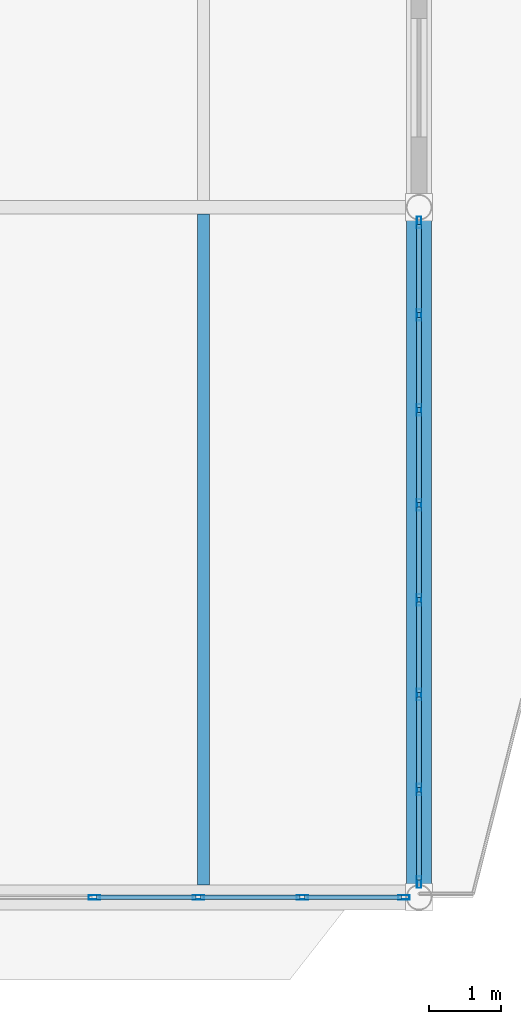
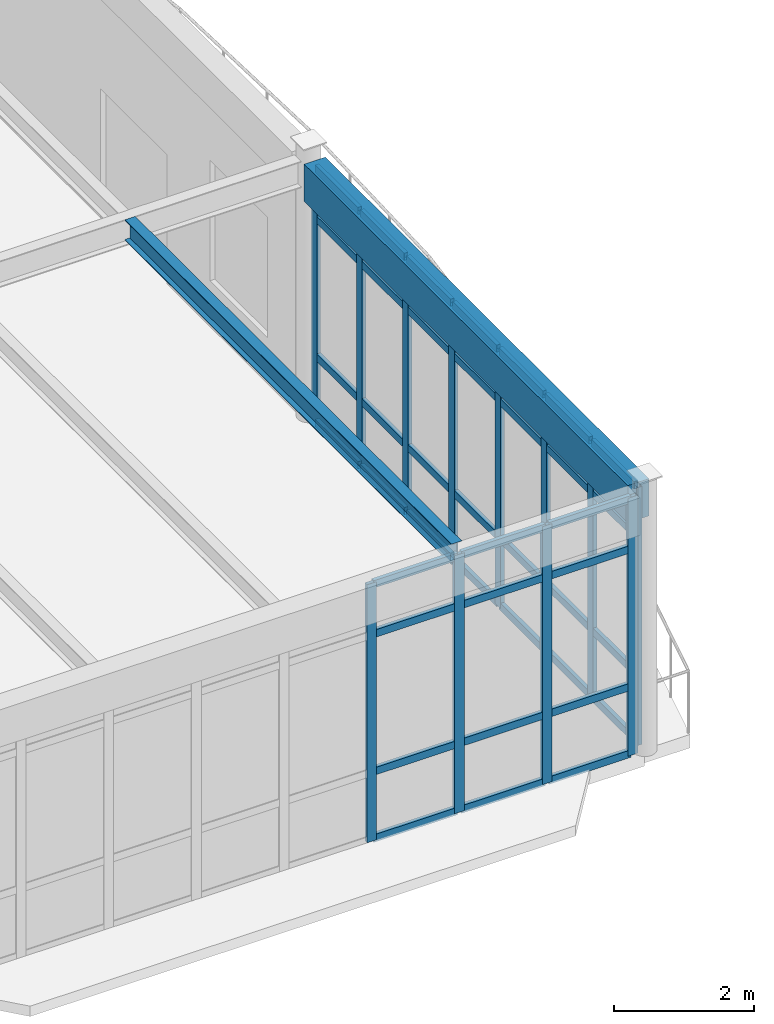
# One storey, part 24 of 236: 52 members, 2 beams, 2 elements without a shape of their own.
"""IFC4 building model written with IfcOpenShell, lengths in metres."""

from ifc_helpers import new_model, si_unit, direction, frame, origin, origin_2d, place, context, subcontext, project, spatial, rectangle, hollow_rectangle, i_section, extrude, material, layer, layer_set, material_profile, profile_set, type_object, element, aggregate, save


model = new_model("IFC4")

# Units and contexts
model_context = context("Model", 3, precision=1e-05, world=origin(), true_north=direction((0.0, 1.0)))
body_context = subcontext(model_context, "Body", "Model", "MODEL_VIEW")
ifc_project = project(units=[si_unit("LENGTHUNIT", "METRE"), si_unit("AREAUNIT", "SQUARE_METRE"), si_unit("VOLUMEUNIT", "CUBIC_METRE"), si_unit("PLANEANGLEUNIT", "RADIAN"), si_unit("MASSUNIT", "GRAM", prefix="KILO")], contexts=[model_context])

# Site, building, storey
site_placement = place(None, origin())
site = spatial("IfcSite", under=ifc_project, at=site_placement, CompositionType="ELEMENT")
building_placement = place(site_placement, origin())
building = spatial("IfcBuilding", under=site, at=building_placement, Name="Pandanus Reach Market Hall", CompositionType="ELEMENT")
storey_placement = place(building_placement, frame((0.0, 0.0, 5.39990234375)))
storey = spatial("IfcBuildingStorey", under=building, at=storey_placement, Name="L01", CompositionType="ELEMENT", Elevation=5.39990234375)

# Beam
ifc_material_1 = material(Name="Concrete N40 (40 MPa)", Category="concrete")
ifc_material_profile_1 = material_profile(ifc_material_1, rectangle(XDim=0.35009765625, YDim=0.64990234375, at=origin_2d()), Name="RC350x650", Category="LoadBearing")
ifc_profile_set_1 = profile_set([ifc_material_profile_1], Name="Concrete N40 (40 MPa)")
beam_type_1 = type_object("IfcBeamType", Name="BM-RC350-E", PredefinedType="SPANDREL", material=ifc_profile_set_1)
beam_1_placement = place(storey_placement, frame((36.0, 0.17578125, 4.22998046875), z_axis=(0.0, 1.0, 0.0), x_axis=(-1.0, 0.0, 0.0)))
element("IfcBeam", 1, at=beam_1_placement, inside=storey, type_object=beam_type_1, Name="Framing beam BM-RC350-E L01.987", PredefinedType="SPANDREL", context=body_context, shape_type="SweptSolid", body=[
    extrude(rectangle(XDim=0.35009765625, YDim=0.64990234375, at=origin_2d()), origin(), (0.0, 0.0, 1.0), 9.24853515625),
])

# Curtain wall, members
ifc_material_2 = material(Name="Bronze anodised aluminium and low-E glass", Category="aluminium")
ifc_layer_1 = layer(ifc_material_2, 0.159912109375, Name="CW-16")
ifc_layer_set_1 = layer_set([ifc_layer_1], Name="Bronze anodised aluminium and low-E glass")
curtain_wall_type_1 = type_object("IfcCurtainWallType", Name="CW-16", PredefinedType="NOTDEFINED", material=ifc_layer_set_1)
curtain_wall_1_placement = place(storey_placement, origin())
curtain_wall_1 = element("IfcCurtainWall", 2, at=curtain_wall_1_placement, inside=storey, type_object=curtain_wall_type_1, Name="Glazed curtain wall CW-16 CW-0056", PredefinedType="NOTDEFINED")
ifc_material_3 = material(Name="Bronze anodised aluminium", Category="aluminium")
ifc_material_profile_2 = material_profile(ifc_material_3, hollow_rectangle(XDim=0.06494140625, YDim=0.159912109375, WallThickness=0.00390625, at=origin_2d()), Name="ALU65x160", Category="LoadBearing")
ifc_profile_set_2 = profile_set([ifc_material_profile_2], Name="Bronze anodised aluminium")
member_type_1 = type_object("IfcMemberType", Name="CW-M1", PredefinedType="MULLION", material=ifc_profile_set_2)
member_1_placement = place(storey_placement, frame((31.482666015625, 0.0, 0.0), z_axis=(0.0, 0.0, 1.0), x_axis=(0.0, 1.0, 0.0)))
member_1 = element("IfcMember", 3, at=member_1_placement, type_object=member_type_1, Name="CW-16 mullion 6", PredefinedType="MULLION", context=body_context, shape_type="SweptSolid", body=[
    extrude(hollow_rectangle(XDim=0.06494140625, YDim=0.159912109375, WallThickness=0.00390625, at=origin_2d()), origin(), (0.0, 0.0, 1.0), 4.5),
])
member_2_placement = place(storey_placement, frame((32.92919921875, 0.0, 0.0), z_axis=(0.0, 0.0, 1.0), x_axis=(0.0, 1.0, 0.0)))
member_2 = element("IfcMember", 4, at=member_2_placement, type_object=member_type_1, Name="CW-16 mullion 7", PredefinedType="MULLION", context=body_context, shape_type="SweptSolid", body=[
    extrude(hollow_rectangle(XDim=0.06494140625, YDim=0.159912109375, WallThickness=0.00390625, at=origin_2d()), origin(), (0.0, 0.0, 1.0), 4.5),
])
member_3_placement = place(storey_placement, frame((34.375732421875, 0.0, 0.0), z_axis=(0.0, 0.0, 1.0), x_axis=(0.0, 1.0, 0.0)))
member_3 = element("IfcMember", 5, at=member_3_placement, type_object=member_type_1, Name="CW-16 mullion 8", PredefinedType="MULLION", context=body_context, shape_type="SweptSolid", body=[
    extrude(hollow_rectangle(XDim=0.06494140625, YDim=0.159912109375, WallThickness=0.00390625, at=origin_2d()), origin(), (0.0, 0.0, 1.0), 4.5),
])
member_4_placement = place(storey_placement, frame((35.789794921875, 0.0, 0.0), z_axis=(0.0, 0.0, 1.0), x_axis=(0.0, 1.0, 0.0)))
member_4 = element("IfcMember", 6, at=member_4_placement, type_object=member_type_1, Name="CW-16 mullion 9", PredefinedType="MULLION", context=body_context, shape_type="SweptSolid", body=[
    extrude(hollow_rectangle(XDim=0.06494140625, YDim=0.159912109375, WallThickness=0.00390625, at=origin_2d()), origin(), (0.0, 0.0, 1.0), 4.5),
])

ifc_layer_2 = layer(ifc_material_2, 0.159912109375, Name="CW-20")
ifc_layer_set_2 = layer_set([ifc_layer_2], Name="Bronze anodised aluminium and low-E glass")
curtain_wall_type_2 = type_object("IfcCurtainWallType", Name="CW-20", PredefinedType="NOTDEFINED", material=ifc_layer_set_2)
curtain_wall_2_placement = place(storey_placement, origin())
curtain_wall_2 = element("IfcCurtainWall", 7, at=curtain_wall_2_placement, inside=storey, type_object=curtain_wall_type_2, Name="Glazed curtain wall CW-20 CW-0061", PredefinedType="NOTDEFINED")
member_5_placement = place(storey_placement, frame((36.0, 0.210205078125, 0.0), z_axis=(0.0, 0.0, 1.0), x_axis=(-1.0, 0.0, 0.0)))
member_5 = element("IfcMember", 8, at=member_5_placement, type_object=member_type_1, Name="CW-20 mullion 1", PredefinedType="MULLION", context=body_context, shape_type="SweptSolid", body=[
    extrude(hollow_rectangle(XDim=0.06494140625, YDim=0.159912109375, WallThickness=0.00390625, at=origin_2d()), origin(), (0.0, 0.0, 1.0), 4.5),
])
member_6_placement = place(storey_placement, frame((36.0, 1.49853515625, 0.0), z_axis=(0.0, 0.0, 1.0), x_axis=(-1.0, 0.0, 0.0)))
member_6 = element("IfcMember", 9, at=member_6_placement, type_object=member_type_1, Name="CW-20 mullion 2", PredefinedType="MULLION", context=body_context, shape_type="SweptSolid", body=[
    extrude(hollow_rectangle(XDim=0.06494140625, YDim=0.159912109375, WallThickness=0.00390625, at=origin_2d()), origin(), (0.0, 0.0, 1.0), 4.5),
])
member_7_placement = place(storey_placement, frame((36.0, 2.819091796875, 0.0), z_axis=(0.0, 0.0, 1.0), x_axis=(-1.0, 0.0, 0.0)))
member_7 = element("IfcMember", 10, at=member_7_placement, type_object=member_type_1, Name="CW-20 mullion 3", PredefinedType="MULLION", context=body_context, shape_type="SweptSolid", body=[
    extrude(hollow_rectangle(XDim=0.06494140625, YDim=0.159912109375, WallThickness=0.00390625, at=origin_2d()), origin(), (0.0, 0.0, 1.0), 4.5),
])
member_8_placement = place(storey_placement, frame((36.0, 4.1396484375, 0.0), z_axis=(0.0, 0.0, 1.0), x_axis=(-1.0, 0.0, 0.0)))
member_8 = element("IfcMember", 11, at=member_8_placement, type_object=member_type_1, Name="CW-20 mullion 4", PredefinedType="MULLION", context=body_context, shape_type="SweptSolid", body=[
    extrude(hollow_rectangle(XDim=0.06494140625, YDim=0.159912109375, WallThickness=0.00390625, at=origin_2d()), origin(), (0.0, 0.0, 1.0), 4.5),
])
member_9_placement = place(storey_placement, frame((36.0, 5.460205078125, 0.0), z_axis=(0.0, 0.0, 1.0), x_axis=(-1.0, 0.0, 0.0)))
member_9 = element("IfcMember", 12, at=member_9_placement, type_object=member_type_1, Name="CW-20 mullion 5", PredefinedType="MULLION", context=body_context, shape_type="SweptSolid", body=[
    extrude(hollow_rectangle(XDim=0.06494140625, YDim=0.159912109375, WallThickness=0.00390625, at=origin_2d()), origin(), (0.0, 0.0, 1.0), 4.5),
])
member_10_placement = place(storey_placement, frame((36.0, 6.781005859375, 0.0), z_axis=(0.0, 0.0, 1.0), x_axis=(-1.0, 0.0, 0.0)))
member_10 = element("IfcMember", 13, at=member_10_placement, type_object=member_type_1, Name="CW-20 mullion 6", PredefinedType="MULLION", context=body_context, shape_type="SweptSolid", body=[
    extrude(hollow_rectangle(XDim=0.06494140625, YDim=0.159912109375, WallThickness=0.00390625, at=origin_2d()), origin(), (0.0, 0.0, 1.0), 4.5),
])
member_11_placement = place(storey_placement, frame((36.0, 8.1015625, 0.0), z_axis=(0.0, 0.0, 1.0), x_axis=(-1.0, 0.0, 0.0)))
member_11 = element("IfcMember", 14, at=member_11_placement, type_object=member_type_1, Name="CW-20 mullion 7", PredefinedType="MULLION", context=body_context, shape_type="SweptSolid", body=[
    extrude(hollow_rectangle(XDim=0.06494140625, YDim=0.159912109375, WallThickness=0.00390625, at=origin_2d()), origin(), (0.0, 0.0, 1.0), 4.5),
])
member_12_placement = place(storey_placement, frame((36.0, 9.3896484375, 0.0), z_axis=(0.0, 0.0, 1.0), x_axis=(-1.0, 0.0, 0.0)))
member_12 = element("IfcMember", 15, at=member_12_placement, type_object=member_type_1, Name="CW-20 mullion 8", PredefinedType="MULLION", context=body_context, shape_type="SweptSolid", body=[
    extrude(hollow_rectangle(XDim=0.06494140625, YDim=0.159912109375, WallThickness=0.00390625, at=origin_2d()), origin(), (0.0, 0.0, 1.0), 4.5),
])

# Member
ifc_material_profile_3 = material_profile(ifc_material_3, hollow_rectangle(XDim=0.06494140625, YDim=0.1298828125, WallThickness=0.00390625, at=origin_2d()), Name="ALU65x130", Category="LoadBearing")
ifc_profile_set_3 = profile_set([ifc_material_profile_3], Name="Bronze anodised aluminium")
member_type_2 = type_object("IfcMemberType", Name="CW-T1", PredefinedType="USERDEFINED", material=ifc_profile_set_3)
member_13_placement = place(storey_placement, frame((31.51513671875, 0.0, 0.03271484375), z_axis=(1.0, 0.0, 0.0), x_axis=(0.0, 1.0, 0.0)))
member_13 = element("IfcMember", 16, at=member_13_placement, type_object=member_type_2, Name="CW-16 transom 6.1", ObjectType="TRANSOM", PredefinedType="USERDEFINED", context=body_context, shape_type="SweptSolid", body=[
    extrude(hollow_rectangle(XDim=0.06494140625, YDim=0.1298828125, WallThickness=0.00390625, at=origin_2d()), origin(), (0.0, 0.0, 1.0), 1.381591796875),
])

member_14_placement = place(storey_placement, frame((31.51513671875, 0.0, 1.2001953125), z_axis=(1.0, 0.0, 0.0), x_axis=(0.0, 1.0, 0.0)))
member_14 = element("IfcMember", 17, at=member_14_placement, type_object=member_type_2, Name="CW-16 transom 6.2", ObjectType="TRANSOM", PredefinedType="USERDEFINED", context=body_context, shape_type="SweptSolid", body=[
    extrude(hollow_rectangle(XDim=0.06494140625, YDim=0.1298828125, WallThickness=0.00390625, at=origin_2d()), origin(), (0.0, 0.0, 1.0), 1.381591796875),
])

member_15_placement = place(storey_placement, frame((31.51513671875, 0.0, 3.60009765625), z_axis=(1.0, 0.0, 0.0), x_axis=(0.0, 1.0, 0.0)))
member_15 = element("IfcMember", 18, at=member_15_placement, type_object=member_type_2, Name="CW-16 transom 6.3", ObjectType="TRANSOM", PredefinedType="USERDEFINED", context=body_context, shape_type="SweptSolid", body=[
    extrude(hollow_rectangle(XDim=0.06494140625, YDim=0.1298828125, WallThickness=0.00390625, at=origin_2d()), origin(), (0.0, 0.0, 1.0), 1.381591796875),
])

member_16_placement = place(storey_placement, frame((31.51513671875, 0.0, 4.467529296875), z_axis=(1.0, 0.0, 0.0), x_axis=(0.0, 1.0, 0.0)))
member_16 = element("IfcMember", 19, at=member_16_placement, type_object=member_type_2, Name="CW-16 transom 6.4", ObjectType="TRANSOM", PredefinedType="USERDEFINED", context=body_context, shape_type="SweptSolid", body=[
    extrude(hollow_rectangle(XDim=0.06494140625, YDim=0.1298828125, WallThickness=0.00390625, at=origin_2d()), origin(), (0.0, 0.0, 1.0), 1.381591796875),
])

member_17_placement = place(storey_placement, frame((32.961669921875, 0.0, 0.03271484375), z_axis=(1.0, 0.0, 0.0), x_axis=(0.0, 1.0, 0.0)))
member_17 = element("IfcMember", 20, at=member_17_placement, type_object=member_type_2, Name="CW-16 transom 7.1", ObjectType="TRANSOM", PredefinedType="USERDEFINED", context=body_context, shape_type="SweptSolid", body=[
    extrude(hollow_rectangle(XDim=0.06494140625, YDim=0.1298828125, WallThickness=0.00390625, at=origin_2d()), origin(), (0.0, 0.0, 1.0), 1.381591796875),
])

member_18_placement = place(storey_placement, frame((32.961669921875, 0.0, 1.2001953125), z_axis=(1.0, 0.0, 0.0), x_axis=(0.0, 1.0, 0.0)))
member_18 = element("IfcMember", 21, at=member_18_placement, type_object=member_type_2, Name="CW-16 transom 7.2", ObjectType="TRANSOM", PredefinedType="USERDEFINED", context=body_context, shape_type="SweptSolid", body=[
    extrude(hollow_rectangle(XDim=0.06494140625, YDim=0.1298828125, WallThickness=0.00390625, at=origin_2d()), origin(), (0.0, 0.0, 1.0), 1.381591796875),
])

member_19_placement = place(storey_placement, frame((32.961669921875, 0.0, 3.60009765625), z_axis=(1.0, 0.0, 0.0), x_axis=(0.0, 1.0, 0.0)))
member_19 = element("IfcMember", 22, at=member_19_placement, type_object=member_type_2, Name="CW-16 transom 7.3", ObjectType="TRANSOM", PredefinedType="USERDEFINED", context=body_context, shape_type="SweptSolid", body=[
    extrude(hollow_rectangle(XDim=0.06494140625, YDim=0.1298828125, WallThickness=0.00390625, at=origin_2d()), origin(), (0.0, 0.0, 1.0), 1.381591796875),
])

member_20_placement = place(storey_placement, frame((32.961669921875, 0.0, 4.467529296875), z_axis=(1.0, 0.0, 0.0), x_axis=(0.0, 1.0, 0.0)))
member_20 = element("IfcMember", 23, at=member_20_placement, type_object=member_type_2, Name="CW-16 transom 7.4", ObjectType="TRANSOM", PredefinedType="USERDEFINED", context=body_context, shape_type="SweptSolid", body=[
    extrude(hollow_rectangle(XDim=0.06494140625, YDim=0.1298828125, WallThickness=0.00390625, at=origin_2d()), origin(), (0.0, 0.0, 1.0), 1.381591796875),
])

member_21_placement = place(storey_placement, frame((34.408203125, 0.0, 0.03271484375), z_axis=(1.0, 0.0, 0.0), x_axis=(0.0, 1.0, 0.0)))
member_21 = element("IfcMember", 24, at=member_21_placement, type_object=member_type_2, Name="CW-16 transom 8.1", ObjectType="TRANSOM", PredefinedType="USERDEFINED", context=body_context, shape_type="SweptSolid", body=[
    extrude(hollow_rectangle(XDim=0.06494140625, YDim=0.1298828125, WallThickness=0.00390625, at=origin_2d()), origin(), (0.0, 0.0, 1.0), 1.348876953125),
])

member_22_placement = place(storey_placement, frame((34.408203125, 0.0, 1.2001953125), z_axis=(1.0, 0.0, 0.0), x_axis=(0.0, 1.0, 0.0)))
member_22 = element("IfcMember", 25, at=member_22_placement, type_object=member_type_2, Name="CW-16 transom 8.2", ObjectType="TRANSOM", PredefinedType="USERDEFINED", context=body_context, shape_type="SweptSolid", body=[
    extrude(hollow_rectangle(XDim=0.06494140625, YDim=0.1298828125, WallThickness=0.00390625, at=origin_2d()), origin(), (0.0, 0.0, 1.0), 1.348876953125),
])

member_23_placement = place(storey_placement, frame((34.408203125, 0.0, 3.60009765625), z_axis=(1.0, 0.0, 0.0), x_axis=(0.0, 1.0, 0.0)))
member_23 = element("IfcMember", 26, at=member_23_placement, type_object=member_type_2, Name="CW-16 transom 8.3", ObjectType="TRANSOM", PredefinedType="USERDEFINED", context=body_context, shape_type="SweptSolid", body=[
    extrude(hollow_rectangle(XDim=0.06494140625, YDim=0.1298828125, WallThickness=0.00390625, at=origin_2d()), origin(), (0.0, 0.0, 1.0), 1.348876953125),
])

member_24_placement = place(storey_placement, frame((34.408203125, 0.0, 4.467529296875), z_axis=(1.0, 0.0, 0.0), x_axis=(0.0, 1.0, 0.0)))
member_24 = element("IfcMember", 27, at=member_24_placement, type_object=member_type_2, Name="CW-16 transom 8.4", ObjectType="TRANSOM", PredefinedType="USERDEFINED", context=body_context, shape_type="SweptSolid", body=[
    extrude(hollow_rectangle(XDim=0.06494140625, YDim=0.1298828125, WallThickness=0.00390625, at=origin_2d()), origin(), (0.0, 0.0, 1.0), 1.348876953125),
])

aggregate(curtain_wall_1, [member_1, member_2, member_3, member_4, member_13, member_14, member_15, member_16, member_17, member_18, member_19, member_20, member_21, member_22, member_23, member_24])

member_25_placement = place(storey_placement, frame((36.0, 0.242919921875, 0.03271484375), z_axis=(0.0, 1.0, 0.0), x_axis=(-1.0, 0.0, 0.0)))
member_25 = element("IfcMember", 28, at=member_25_placement, type_object=member_type_2, Name="CW-20 transom 1.1", ObjectType="TRANSOM", PredefinedType="USERDEFINED", context=body_context, shape_type="SweptSolid", body=[
    extrude(hollow_rectangle(XDim=0.06494140625, YDim=0.1298828125, WallThickness=0.00390625, at=origin_2d()), origin(), (0.0, 0.0, 1.0), 1.222900390625),
])

member_26_placement = place(storey_placement, frame((36.0, 0.242919921875, 1.2001953125), z_axis=(0.0, 1.0, 0.0), x_axis=(-1.0, 0.0, 0.0)))
member_26 = element("IfcMember", 29, at=member_26_placement, type_object=member_type_2, Name="CW-20 transom 1.2", ObjectType="TRANSOM", PredefinedType="USERDEFINED", context=body_context, shape_type="SweptSolid", body=[
    extrude(hollow_rectangle(XDim=0.06494140625, YDim=0.1298828125, WallThickness=0.00390625, at=origin_2d()), origin(), (0.0, 0.0, 1.0), 1.222900390625),
])

member_27_placement = place(storey_placement, frame((36.0, 0.242919921875, 3.60009765625), z_axis=(0.0, 1.0, 0.0), x_axis=(-1.0, 0.0, 0.0)))
member_27 = element("IfcMember", 30, at=member_27_placement, type_object=member_type_2, Name="CW-20 transom 1.3", ObjectType="TRANSOM", PredefinedType="USERDEFINED", context=body_context, shape_type="SweptSolid", body=[
    extrude(hollow_rectangle(XDim=0.06494140625, YDim=0.1298828125, WallThickness=0.00390625, at=origin_2d()), origin(), (0.0, 0.0, 1.0), 1.222900390625),
])

member_28_placement = place(storey_placement, frame((36.0, 0.242919921875, 4.467529296875), z_axis=(0.0, 1.0, 0.0), x_axis=(-1.0, 0.0, 0.0)))
member_28 = element("IfcMember", 31, at=member_28_placement, type_object=member_type_2, Name="CW-20 transom 1.4", ObjectType="TRANSOM", PredefinedType="USERDEFINED", context=body_context, shape_type="SweptSolid", body=[
    extrude(hollow_rectangle(XDim=0.06494140625, YDim=0.1298828125, WallThickness=0.00390625, at=origin_2d()), origin(), (0.0, 0.0, 1.0), 1.222900390625),
])

member_29_placement = place(storey_placement, frame((36.0, 1.531005859375, 0.03271484375), z_axis=(0.0, 1.0, 0.0), x_axis=(-1.0, 0.0, 0.0)))
member_29 = element("IfcMember", 32, at=member_29_placement, type_object=member_type_2, Name="CW-20 transom 2.1", ObjectType="TRANSOM", PredefinedType="USERDEFINED", context=body_context, shape_type="SweptSolid", body=[
    extrude(hollow_rectangle(XDim=0.06494140625, YDim=0.1298828125, WallThickness=0.00390625, at=origin_2d()), origin(), (0.0, 0.0, 1.0), 1.255615234375),
])

member_30_placement = place(storey_placement, frame((36.0, 1.531005859375, 1.2001953125), z_axis=(0.0, 1.0, 0.0), x_axis=(-1.0, 0.0, 0.0)))
member_30 = element("IfcMember", 33, at=member_30_placement, type_object=member_type_2, Name="CW-20 transom 2.2", ObjectType="TRANSOM", PredefinedType="USERDEFINED", context=body_context, shape_type="SweptSolid", body=[
    extrude(hollow_rectangle(XDim=0.06494140625, YDim=0.1298828125, WallThickness=0.00390625, at=origin_2d()), origin(), (0.0, 0.0, 1.0), 1.255615234375),
])

member_31_placement = place(storey_placement, frame((36.0, 1.531005859375, 3.60009765625), z_axis=(0.0, 1.0, 0.0), x_axis=(-1.0, 0.0, 0.0)))
member_31 = element("IfcMember", 34, at=member_31_placement, type_object=member_type_2, Name="CW-20 transom 2.3", ObjectType="TRANSOM", PredefinedType="USERDEFINED", context=body_context, shape_type="SweptSolid", body=[
    extrude(hollow_rectangle(XDim=0.06494140625, YDim=0.1298828125, WallThickness=0.00390625, at=origin_2d()), origin(), (0.0, 0.0, 1.0), 1.255615234375),
])

member_32_placement = place(storey_placement, frame((36.0, 1.531005859375, 4.467529296875), z_axis=(0.0, 1.0, 0.0), x_axis=(-1.0, 0.0, 0.0)))
member_32 = element("IfcMember", 35, at=member_32_placement, type_object=member_type_2, Name="CW-20 transom 2.4", ObjectType="TRANSOM", PredefinedType="USERDEFINED", context=body_context, shape_type="SweptSolid", body=[
    extrude(hollow_rectangle(XDim=0.06494140625, YDim=0.1298828125, WallThickness=0.00390625, at=origin_2d()), origin(), (0.0, 0.0, 1.0), 1.255615234375),
])

member_33_placement = place(storey_placement, frame((36.0, 2.8515625, 0.03271484375), z_axis=(0.0, 1.0, 0.0), x_axis=(-1.0, 0.0, 0.0)))
member_33 = element("IfcMember", 36, at=member_33_placement, type_object=member_type_2, Name="CW-20 transom 3.1", ObjectType="TRANSOM", PredefinedType="USERDEFINED", context=body_context, shape_type="SweptSolid", body=[
    extrude(hollow_rectangle(XDim=0.06494140625, YDim=0.1298828125, WallThickness=0.00390625, at=origin_2d()), origin(), (0.0, 0.0, 1.0), 1.255615234375),
])

member_34_placement = place(storey_placement, frame((36.0, 2.8515625, 1.2001953125), z_axis=(0.0, 1.0, 0.0), x_axis=(-1.0, 0.0, 0.0)))
member_34 = element("IfcMember", 37, at=member_34_placement, type_object=member_type_2, Name="CW-20 transom 3.2", ObjectType="TRANSOM", PredefinedType="USERDEFINED", context=body_context, shape_type="SweptSolid", body=[
    extrude(hollow_rectangle(XDim=0.06494140625, YDim=0.1298828125, WallThickness=0.00390625, at=origin_2d()), origin(), (0.0, 0.0, 1.0), 1.255615234375),
])

member_35_placement = place(storey_placement, frame((36.0, 2.8515625, 3.60009765625), z_axis=(0.0, 1.0, 0.0), x_axis=(-1.0, 0.0, 0.0)))
member_35 = element("IfcMember", 38, at=member_35_placement, type_object=member_type_2, Name="CW-20 transom 3.3", ObjectType="TRANSOM", PredefinedType="USERDEFINED", context=body_context, shape_type="SweptSolid", body=[
    extrude(hollow_rectangle(XDim=0.06494140625, YDim=0.1298828125, WallThickness=0.00390625, at=origin_2d()), origin(), (0.0, 0.0, 1.0), 1.255615234375),
])

member_36_placement = place(storey_placement, frame((36.0, 2.8515625, 4.467529296875), z_axis=(0.0, 1.0, 0.0), x_axis=(-1.0, 0.0, 0.0)))
member_36 = element("IfcMember", 39, at=member_36_placement, type_object=member_type_2, Name="CW-20 transom 3.4", ObjectType="TRANSOM", PredefinedType="USERDEFINED", context=body_context, shape_type="SweptSolid", body=[
    extrude(hollow_rectangle(XDim=0.06494140625, YDim=0.1298828125, WallThickness=0.00390625, at=origin_2d()), origin(), (0.0, 0.0, 1.0), 1.255615234375),
])

member_37_placement = place(storey_placement, frame((36.0, 4.172119140625, 0.03271484375), z_axis=(0.0, 1.0, 0.0), x_axis=(-1.0, 0.0, 0.0)))
member_37 = element("IfcMember", 40, at=member_37_placement, type_object=member_type_2, Name="CW-20 transom 4.1", ObjectType="TRANSOM", PredefinedType="USERDEFINED", context=body_context, shape_type="SweptSolid", body=[
    extrude(hollow_rectangle(XDim=0.06494140625, YDim=0.1298828125, WallThickness=0.00390625, at=origin_2d()), origin(), (0.0, 0.0, 1.0), 1.255615234375),
])

member_38_placement = place(storey_placement, frame((36.0, 4.172119140625, 1.2001953125), z_axis=(0.0, 1.0, 0.0), x_axis=(-1.0, 0.0, 0.0)))
member_38 = element("IfcMember", 41, at=member_38_placement, type_object=member_type_2, Name="CW-20 transom 4.2", ObjectType="TRANSOM", PredefinedType="USERDEFINED", context=body_context, shape_type="SweptSolid", body=[
    extrude(hollow_rectangle(XDim=0.06494140625, YDim=0.1298828125, WallThickness=0.00390625, at=origin_2d()), origin(), (0.0, 0.0, 1.0), 1.255615234375),
])

member_39_placement = place(storey_placement, frame((36.0, 4.172119140625, 3.60009765625), z_axis=(0.0, 1.0, 0.0), x_axis=(-1.0, 0.0, 0.0)))
member_39 = element("IfcMember", 42, at=member_39_placement, type_object=member_type_2, Name="CW-20 transom 4.3", ObjectType="TRANSOM", PredefinedType="USERDEFINED", context=body_context, shape_type="SweptSolid", body=[
    extrude(hollow_rectangle(XDim=0.06494140625, YDim=0.1298828125, WallThickness=0.00390625, at=origin_2d()), origin(), (0.0, 0.0, 1.0), 1.255615234375),
])

member_40_placement = place(storey_placement, frame((36.0, 4.172119140625, 4.467529296875), z_axis=(0.0, 1.0, 0.0), x_axis=(-1.0, 0.0, 0.0)))
member_40 = element("IfcMember", 43, at=member_40_placement, type_object=member_type_2, Name="CW-20 transom 4.4", ObjectType="TRANSOM", PredefinedType="USERDEFINED", context=body_context, shape_type="SweptSolid", body=[
    extrude(hollow_rectangle(XDim=0.06494140625, YDim=0.1298828125, WallThickness=0.00390625, at=origin_2d()), origin(), (0.0, 0.0, 1.0), 1.255615234375),
])

member_41_placement = place(storey_placement, frame((36.0, 5.492919921875, 0.03271484375), z_axis=(0.0, 1.0, 0.0), x_axis=(-1.0, 0.0, 0.0)))
member_41 = element("IfcMember", 44, at=member_41_placement, type_object=member_type_2, Name="CW-20 transom 5.1", ObjectType="TRANSOM", PredefinedType="USERDEFINED", context=body_context, shape_type="SweptSolid", body=[
    extrude(hollow_rectangle(XDim=0.06494140625, YDim=0.1298828125, WallThickness=0.00390625, at=origin_2d()), origin(), (0.0, 0.0, 1.0), 1.255615234375),
])

member_42_placement = place(storey_placement, frame((36.0, 5.492919921875, 1.2001953125), z_axis=(0.0, 1.0, 0.0), x_axis=(-1.0, 0.0, 0.0)))
member_42 = element("IfcMember", 45, at=member_42_placement, type_object=member_type_2, Name="CW-20 transom 5.2", ObjectType="TRANSOM", PredefinedType="USERDEFINED", context=body_context, shape_type="SweptSolid", body=[
    extrude(hollow_rectangle(XDim=0.06494140625, YDim=0.1298828125, WallThickness=0.00390625, at=origin_2d()), origin(), (0.0, 0.0, 1.0), 1.255615234375),
])

member_43_placement = place(storey_placement, frame((36.0, 5.492919921875, 3.60009765625), z_axis=(0.0, 1.0, 0.0), x_axis=(-1.0, 0.0, 0.0)))
member_43 = element("IfcMember", 46, at=member_43_placement, type_object=member_type_2, Name="CW-20 transom 5.3", ObjectType="TRANSOM", PredefinedType="USERDEFINED", context=body_context, shape_type="SweptSolid", body=[
    extrude(hollow_rectangle(XDim=0.06494140625, YDim=0.1298828125, WallThickness=0.00390625, at=origin_2d()), origin(), (0.0, 0.0, 1.0), 1.255615234375),
])

member_44_placement = place(storey_placement, frame((36.0, 5.492919921875, 4.467529296875), z_axis=(0.0, 1.0, 0.0), x_axis=(-1.0, 0.0, 0.0)))
member_44 = element("IfcMember", 47, at=member_44_placement, type_object=member_type_2, Name="CW-20 transom 5.4", ObjectType="TRANSOM", PredefinedType="USERDEFINED", context=body_context, shape_type="SweptSolid", body=[
    extrude(hollow_rectangle(XDim=0.06494140625, YDim=0.1298828125, WallThickness=0.00390625, at=origin_2d()), origin(), (0.0, 0.0, 1.0), 1.255615234375),
])

member_45_placement = place(storey_placement, frame((36.0, 6.8134765625, 0.03271484375), z_axis=(0.0, 1.0, 0.0), x_axis=(-1.0, 0.0, 0.0)))
member_45 = element("IfcMember", 48, at=member_45_placement, type_object=member_type_2, Name="CW-20 transom 6.1", ObjectType="TRANSOM", PredefinedType="USERDEFINED", context=body_context, shape_type="SweptSolid", body=[
    extrude(hollow_rectangle(XDim=0.06494140625, YDim=0.1298828125, WallThickness=0.00390625, at=origin_2d()), origin(), (0.0, 0.0, 1.0), 1.255615234375),
])

member_46_placement = place(storey_placement, frame((36.0, 6.8134765625, 1.2001953125), z_axis=(0.0, 1.0, 0.0), x_axis=(-1.0, 0.0, 0.0)))
member_46 = element("IfcMember", 49, at=member_46_placement, type_object=member_type_2, Name="CW-20 transom 6.2", ObjectType="TRANSOM", PredefinedType="USERDEFINED", context=body_context, shape_type="SweptSolid", body=[
    extrude(hollow_rectangle(XDim=0.06494140625, YDim=0.1298828125, WallThickness=0.00390625, at=origin_2d()), origin(), (0.0, 0.0, 1.0), 1.255615234375),
])

member_47_placement = place(storey_placement, frame((36.0, 6.8134765625, 3.60009765625), z_axis=(0.0, 1.0, 0.0), x_axis=(-1.0, 0.0, 0.0)))
member_47 = element("IfcMember", 50, at=member_47_placement, type_object=member_type_2, Name="CW-20 transom 6.3", ObjectType="TRANSOM", PredefinedType="USERDEFINED", context=body_context, shape_type="SweptSolid", body=[
    extrude(hollow_rectangle(XDim=0.06494140625, YDim=0.1298828125, WallThickness=0.00390625, at=origin_2d()), origin(), (0.0, 0.0, 1.0), 1.255615234375),
])

member_48_placement = place(storey_placement, frame((36.0, 6.8134765625, 4.467529296875), z_axis=(0.0, 1.0, 0.0), x_axis=(-1.0, 0.0, 0.0)))
member_48 = element("IfcMember", 51, at=member_48_placement, type_object=member_type_2, Name="CW-20 transom 6.4", ObjectType="TRANSOM", PredefinedType="USERDEFINED", context=body_context, shape_type="SweptSolid", body=[
    extrude(hollow_rectangle(XDim=0.06494140625, YDim=0.1298828125, WallThickness=0.00390625, at=origin_2d()), origin(), (0.0, 0.0, 1.0), 1.255615234375),
])

member_49_placement = place(storey_placement, frame((36.0, 8.134033203125, 0.03271484375), z_axis=(0.0, 1.0, 0.0), x_axis=(-1.0, 0.0, 0.0)))
member_49 = element("IfcMember", 52, at=member_49_placement, type_object=member_type_2, Name="CW-20 transom 7.1", ObjectType="TRANSOM", PredefinedType="USERDEFINED", context=body_context, shape_type="SweptSolid", body=[
    extrude(hollow_rectangle(XDim=0.06494140625, YDim=0.1298828125, WallThickness=0.00390625, at=origin_2d()), origin(), (0.0, 0.0, 1.0), 1.22314453125),
])

member_50_placement = place(storey_placement, frame((36.0, 8.134033203125, 1.2001953125), z_axis=(0.0, 1.0, 0.0), x_axis=(-1.0, 0.0, 0.0)))
member_50 = element("IfcMember", 53, at=member_50_placement, type_object=member_type_2, Name="CW-20 transom 7.2", ObjectType="TRANSOM", PredefinedType="USERDEFINED", context=body_context, shape_type="SweptSolid", body=[
    extrude(hollow_rectangle(XDim=0.06494140625, YDim=0.1298828125, WallThickness=0.00390625, at=origin_2d()), origin(), (0.0, 0.0, 1.0), 1.22314453125),
])

member_51_placement = place(storey_placement, frame((36.0, 8.134033203125, 3.60009765625), z_axis=(0.0, 1.0, 0.0), x_axis=(-1.0, 0.0, 0.0)))
member_51 = element("IfcMember", 54, at=member_51_placement, type_object=member_type_2, Name="CW-20 transom 7.3", ObjectType="TRANSOM", PredefinedType="USERDEFINED", context=body_context, shape_type="SweptSolid", body=[
    extrude(hollow_rectangle(XDim=0.06494140625, YDim=0.1298828125, WallThickness=0.00390625, at=origin_2d()), origin(), (0.0, 0.0, 1.0), 1.22314453125),
])

member_52_placement = place(storey_placement, frame((36.0, 8.134033203125, 4.467529296875), z_axis=(0.0, 1.0, 0.0), x_axis=(-1.0, 0.0, 0.0)))
member_52 = element("IfcMember", 55, at=member_52_placement, type_object=member_type_2, Name="CW-20 transom 7.4", ObjectType="TRANSOM", PredefinedType="USERDEFINED", context=body_context, shape_type="SweptSolid", body=[
    extrude(hollow_rectangle(XDim=0.06494140625, YDim=0.1298828125, WallThickness=0.00390625, at=origin_2d()), origin(), (0.0, 0.0, 1.0), 1.22314453125),
])

aggregate(curtain_wall_2, [member_5, member_6, member_7, member_8, member_9, member_10, member_11, member_12, member_25, member_26, member_27, member_28, member_29, member_30, member_31, member_32, member_33, member_34, member_35, member_36, member_37, member_38, member_39, member_40, member_41, member_42, member_43, member_44, member_45, member_46, member_47, member_48, member_49, member_50, member_51, member_52])

# Beam
ifc_material_4 = material(Name="Steel Grade 350 (350 MPa)", Category="steel")
ifc_material_profile_4 = material_profile(ifc_material_4, i_section(OverallWidth=0.1708984375, OverallDepth=0.35595703125, WebThickness=0.00732421875, FlangeThickness=0.011474609375, at=origin_2d()), Name="360UB50.7", Category="LoadBearing")
ifc_profile_set_4 = profile_set([ifc_material_profile_4], Name="Steel Grade 350 (350 MPa)")
beam_type_2 = type_object("IfcBeamType", Name="JS-UB360-I", PredefinedType="JOIST", material=ifc_profile_set_4)
beam_2_placement = place(storey_placement, frame((33.0, 0.173095703125, 4.376708984375), z_axis=(0.0, 1.0, 0.0), x_axis=(-1.0, 0.0, 0.0)))
element("IfcBeam", 56, at=beam_2_placement, inside=storey, type_object=beam_type_2, Name="Secondary joist JS-UB360-I L01.1004", PredefinedType="JOIST", context=body_context, shape_type="SweptSolid", body=[
    extrude(i_section(OverallWidth=0.1708984375, OverallDepth=0.35595703125, WebThickness=0.00732421875, FlangeThickness=0.011474609375, at=origin_2d()), origin(), (0.0, 0.0, 1.0), 9.333984375),
])

save(model, "model.ifc")
